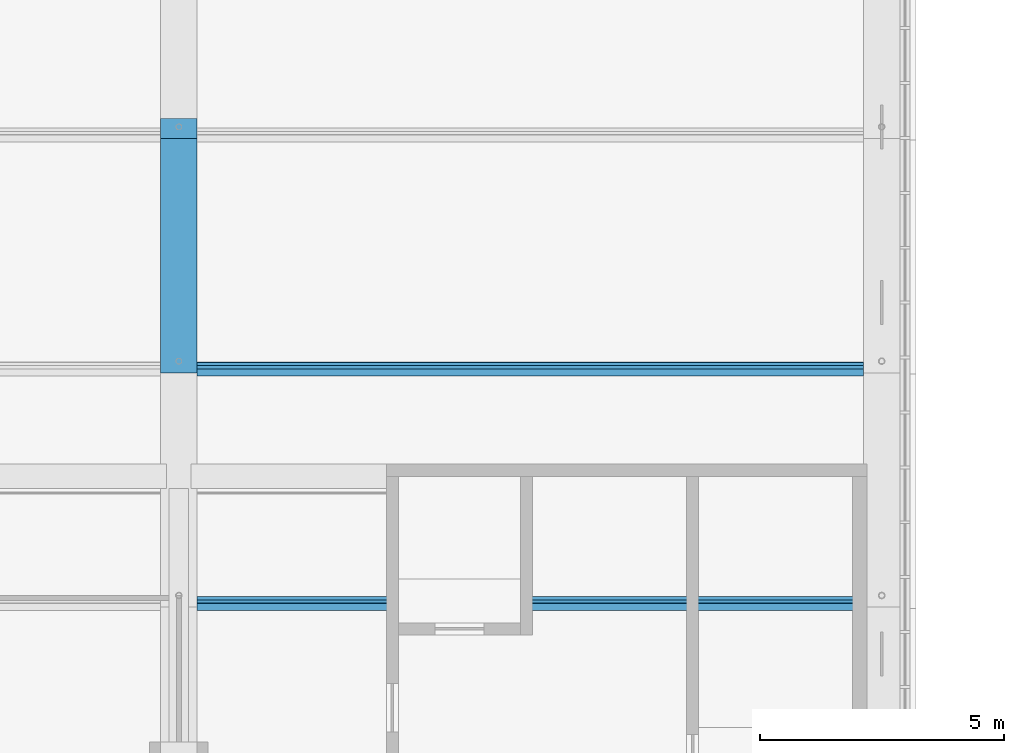
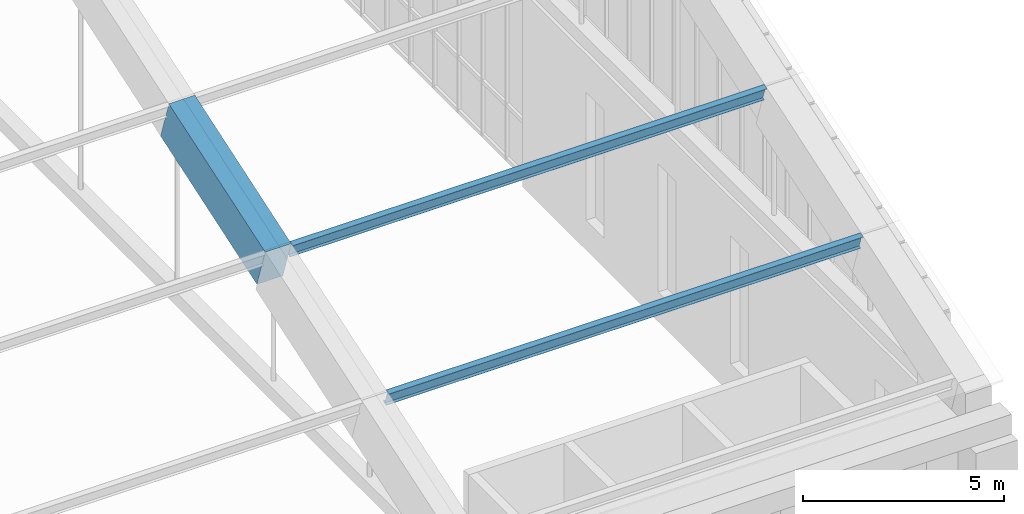
# One storey, part 26 of 149: 2 members, 1 beam.
"""IFC4 building model written with IfcOpenShell, lengths in metres."""

import ifcopenshell
import ifcopenshell.guid

model = None  # the IFC model being written
_history = None  # IfcOwnerHistory: only IFC2X3 demands one
_inside = {}  # id of a spatial element -> (the spatial element, [elements in it])
_under = {}  # id of a project, library or spatial element -> (it, [spatial elements below it])
_declared = {}  # id of a project -> (the project, [libraries it declares])
_typed = {}  # id of a type object -> (the type object, [elements of that type])
_made_of = {}  # id of a material, layer set ... -> (it, [elements and type objects made of it])


def new_model(schema):
    """Start an empty IFC model of exactly this schema.

    Asked for "IFC4X3", IfcOpenShell would pick the latest addendum, in which some entities
    have other attributes; the version numbers below select the first issue.
    IFC2X3 requires an IfcOwnerHistory on every rooted entity: one is made here for all.
    """
    global model, _history
    if schema == "IFC4X3":
        model = ifcopenshell.file(schema_version=(4, 3, 0, 0))
    else:
        model = ifcopenshell.file(schema=schema)
    _inside.clear()
    _under.clear()
    _declared.clear()
    _typed.clear()
    _made_of.clear()
    _history = None
    if model.schema == "IFC2X3":
        org = make("IfcOrganization", Name="unknown")
        user = make(
            "IfcPersonAndOrganization",
            ThePerson=make("IfcPerson", FamilyName="unknown"),
            TheOrganization=org,
        )
        app = make(
            "IfcApplication",
            ApplicationDeveloper=org,
            Version="unknown",
            ApplicationFullName="unknown",
            ApplicationIdentifier="unknown",
        )
        _history = make(
            "IfcOwnerHistory",
            OwningUser=user,
            OwningApplication=app,
            ChangeAction="ADDED",
            CreationDate=0,
        )
    return model


def make(cls, **values):
    """One entity of the class cls with the attributes given. An attribute that is None is left unset."""
    return model.create_entity(
        cls, **{name: value for name, value in values.items() if value is not None}
    )


def rooted(cls, **values):
    """An entity with a GlobalId (a new one), such as an element, a storey or a relation."""
    return make(cls, GlobalId=ifcopenshell.guid.new(), OwnerHistory=_history, **values)


def si_unit(unit_type, name, prefix=None):
    """IfcSIUnit, for example si_unit("LENGTHUNIT", "METRE", prefix="MILLI")."""
    return make("IfcSIUnit", UnitType=unit_type, Prefix=prefix, Name=name)


def assignment(units):
    """IfcUnitAssignment: the units of a project."""
    return None if units is None else make("IfcUnitAssignment", Units=units)


def point(xyz):
    """IfcCartesianPoint."""
    return None if xyz is None else make("IfcCartesianPoint", Coordinates=xyz)


def direction(xyz):
    """IfcDirection."""
    return None if xyz is None else make("IfcDirection", DirectionRatios=xyz)


def frame(location, z_axis=None, x_axis=None):
    """IfcAxis2Placement3D, a coordinate frame: its origin and axes. An axis left out is left unset."""
    return make(
        "IfcAxis2Placement3D",
        Location=point(location),
        Axis=direction(z_axis),
        RefDirection=direction(x_axis),
    )


def frame_2d(location, x_axis=None):
    """IfcAxis2Placement2D, a coordinate frame in the plane: its origin and x axis."""
    return make(
        "IfcAxis2Placement2D", Location=point(location), RefDirection=direction(x_axis)
    )


def origin():
    """The frame at (0, 0, 0) with its axes left unset."""
    return frame((0.0, 0.0, 0.0))


def origin_2d():
    """The frame at (0, 0) in the plane with its x axis left unset."""
    return frame_2d((0.0, 0.0))


def place(relative_to, where):
    """IfcLocalPlacement: puts the frame where relative to a parent placement (None: the world)."""
    return make(
        "IfcLocalPlacement", PlacementRelTo=relative_to, RelativePlacement=where
    )


def context(
    kind, dimensions, precision=None, world=None, true_north=None, identifier=None
):
    """IfcGeometricRepresentationContext, for example the 3D "Model" context."""
    return make(
        "IfcGeometricRepresentationContext",
        ContextIdentifier=identifier,
        ContextType=kind,
        CoordinateSpaceDimension=dimensions,
        Precision=precision,
        WorldCoordinateSystem=world,
        TrueNorth=true_north,
    )


def subcontext(parent, identifier, kind, view, scale=None):
    """IfcGeometricRepresentationSubContext, for example "Body" below "Model"."""
    return make(
        "IfcGeometricRepresentationSubContext",
        ContextIdentifier=identifier,
        ContextType=kind,
        ParentContext=parent,
        TargetScale=scale,
        TargetView=view,
    )


def project(units=None, contexts=None):
    """IfcProject with its units and contexts."""
    return rooted(
        "IfcProject",
        Name="project",
        RepresentationContexts=contexts,
        UnitsInContext=assignment(units),
    )


def spatial(cls, under=None, at=None, **own):
    """A site, building, storey or space (cls), placed at a placement, below another one or the project."""
    s = rooted(cls, ObjectPlacement=at, **own)
    if under is not None:
        _under.setdefault(under.id(), (under, []))[1].append(s)
    return s


def profile(cls, at=None, kind="AREA", **sizes):
    """A parametric profile (cls). Its sizes go by their IFC names, for example OverallWidth=200.0."""
    return make(cls, ProfileType=kind, Position=at, **sizes)


def rectangle(**sizes):
    """IfcRectangleProfileDef."""
    return profile("IfcRectangleProfileDef", **sizes)


def i_section(**sizes):
    """IfcIShapeProfileDef."""
    return profile("IfcIShapeProfileDef", **sizes)


def extrude(swept, where, along, depth):
    """IfcExtrudedAreaSolid: the profile swept, set in the frame where, extruded along a direction by depth."""
    return make(
        "IfcExtrudedAreaSolid",
        SweptArea=swept,
        Position=where,
        ExtrudedDirection=direction(along),
        Depth=depth,
    )


def shape(context_of_items, identifier, shape_type, items):
    """IfcShapeRepresentation: the items that make up one representation, for example the "Body"."""
    return make(
        "IfcShapeRepresentation",
        ContextOfItems=context_of_items,
        RepresentationIdentifier=identifier,
        RepresentationType=shape_type,
        Items=items,
    )


def material(Name=None, Category=None):
    """IfcMaterial."""
    return make("IfcMaterial", Name=Name, Category=Category)


def material_profile(
    of_material, cross_section, Name=None, Category=None, Priority=None
):
    """IfcMaterialProfile: a cross section and its material."""
    return make(
        "IfcMaterialProfile",
        Name=Name,
        Material=of_material,
        Profile=cross_section,
        Priority=Priority,
        Category=Category,
    )


def profile_set(profiles, Name=None, composite=None):
    """IfcMaterialProfileSet."""
    return make(
        "IfcMaterialProfileSet",
        Name=Name,
        MaterialProfiles=profiles,
        CompositeProfile=composite,
    )


def made_of(thing, what):
    """Note that an element or type object is made of a material, layer set ...; save() writes the relation."""
    if what is not None:
        _made_of.setdefault(what.id(), (what, []))[1].append(thing)
    return thing


def type_object(cls, material=None, **own):
    """A type object (cls), such as IfcWallType, which elements share."""
    return made_of(rooted(cls, **own), material)


def element(
    cls,
    number,
    at=None,
    inside=None,
    cuts=None,
    type_object=None,
    material=None,
    context=None,
    identifier="Body",
    shape_type=None,
    held_by="IfcProductDefinitionShape",
    body=None,
    shapes=None,
    **own,
):
    """One element of the class cls, such as IfcWall. Its Tag is "e" and its number.

    at: its placement. inside: the storey or other place that contains it. cuts: it is an
    opening in that element (IfcRelVoidsElement). A single representation is given by context,
    identifier, shape_type and body (its items); several are given by shapes. held_by: the class
    of the entity that holds the representations. save() writes the other relations.
    """
    e = rooted(cls, Tag="e%d" % number, ObjectPlacement=at, **own)
    if body is not None:
        shapes = [shape(context, identifier, shape_type, body)]
    if shapes is not None:
        e.Representation = make(held_by, Representations=shapes)
    if inside is not None:
        _inside.setdefault(inside.id(), (inside, []))[1].append(e)
    if cuts is not None:
        rooted(
            "IfcRelVoidsElement", RelatingBuildingElement=cuts, RelatedOpeningElement=e
        )
    if type_object is not None:
        _typed.setdefault(type_object.id(), (type_object, []))[1].append(e)
    return made_of(e, material)


def aggregate(whole, parts):
    """IfcRelAggregates: a whole, such as a stair, and the parts it consists of."""
    return rooted("IfcRelAggregates", RelatingObject=whole, RelatedObjects=parts)


def save(model, path):
    """Write the relations noted so far, then the file.

    IfcRelAggregates (storeys below a building ...), IfcRelContainedInSpatialStructure (elements
    in a storey), IfcRelDefinesByType, IfcRelAssociatesMaterial and IfcRelDeclares: one each for
    every whole, place, type object, material and project.
    """
    for whole, parts in _under.values():
        aggregate(whole, parts)
    for where, things in _inside.values():
        rooted(
            "IfcRelContainedInSpatialStructure",
            RelatedElements=things,
            RelatingStructure=where,
        )
    for kind, things in _typed.values():
        rooted("IfcRelDefinesByType", RelatedObjects=things, RelatingType=kind)
    for what, things in _made_of.values():
        rooted("IfcRelAssociatesMaterial", RelatedObjects=things, RelatingMaterial=what)
    for by, libraries in _declared.values():
        rooted("IfcRelDeclares", RelatingContext=by, RelatedDefinitions=libraries)
    model.write(path)


model = new_model("IFC4")

# Units and contexts
model_context = context("Model", 3, precision=1e-05, world=origin(), true_north=direction((0.0, 1.0)))
body_context = subcontext(model_context, "Body", "Model", "MODEL_VIEW")
ifc_project = project(units=[si_unit("LENGTHUNIT", "METRE"), si_unit("AREAUNIT", "SQUARE_METRE"), si_unit("VOLUMEUNIT", "CUBIC_METRE"), si_unit("PLANEANGLEUNIT", "RADIAN"), si_unit("MASSUNIT", "GRAM", prefix="KILO")], contexts=[model_context])

# Site, building, storey
site_placement = place(None, origin())
site = spatial("IfcSite", under=ifc_project, at=site_placement, CompositionType="ELEMENT")
building_placement = place(site_placement, origin())
building = spatial("IfcBuilding", under=site, at=building_placement, Name="Alderwick Market Hall", CompositionType="ELEMENT")
storey_placement = place(building_placement, frame((0.0, 0.0, 9.60009765625)))
storey = spatial("IfcBuildingStorey", under=building, at=storey_placement, Name="L01", CompositionType="ELEMENT", Elevation=9.60009765625)

# Beam
ifc_material_1 = material(Name="Concrete 5000 psi (f'c 35 MPa)", Category="concrete")
ifc_material_profile_1 = material_profile(ifc_material_1, rectangle(XDim=0.75, YDim=1.300048828125, at=origin_2d()), Name="RC 750x1300")
ifc_profile_set_1 = profile_set([ifc_material_profile_1], Name="Concrete 5000 psi (f'c 35 MPa)")
beam_type = type_object("IfcBeamType", Name="R Arch Rib Haunch 750x1300", PredefinedType="BEAM", material=ifc_profile_set_1)
beam_placement = place(storey_placement, frame((136.800048828125, 59.96826171875, 9.894775390625), z_axis=(0.0, 0.948678472761, 0.316242241517), x_axis=(-1.0, 0.0, 0.0)))
element("IfcBeam", 1, at=beam_placement, inside=storey, type_object=beam_type, Name="Arch rib 7 chord 3", PredefinedType="BEAM", context=body_context, shape_type="SweptSolid", body=[
    extrude(rectangle(XDim=0.75, YDim=1.300048828125, at=origin_2d()), origin(), (0.0, 0.0, 1.0), 5.059814453125),
])

# Members
ifc_material_2 = material(Name="Steel ASTM A992 Grade 50", Category="steel")
ifc_material_profile_2 = material_profile(ifc_material_2, i_section(OverallWidth=0.153076171875, OverallDepth=0.455078125, WebThickness=0.008056640625, FlangeThickness=0.01318359375, at=origin_2d()), Name="W18x40")
ifc_profile_set_2 = profile_set([ifc_material_profile_2], Name="Steel ASTM A992 Grade 50")
member_type = type_object("IfcMemberType", Name="R Purlin W18x40", PredefinedType="PURLIN", material=ifc_profile_set_2)
for number, where, z_axis, x_axis, name in (
    (2, (137.175048828125, 55.03662109375, 8.68994140625), (1.0, 0.0, 0.0), (0.0, 0.948683297073, 0.316227768949), "Roof purlin 2.7"),
    (3, (137.175048828125, 59.836669921875, 10.289794921875), (1.0, 0.0, 0.0), (0.0, 0.948683297073, 0.316227768949), "Roof purlin 3.7"),
):
    element("IfcMember", number, at=place(storey_placement, frame(where, z_axis=z_axis, x_axis=x_axis)), inside=storey, type_object=member_type, Name=name, PredefinedType="PURLIN", context=body_context, shape_type="SweptSolid", body=[
        extrude(i_section(OverallWidth=0.153076171875, OverallDepth=0.455078125, WebThickness=0.008056640625, FlangeThickness=0.01318359375, at=origin_2d()), origin(), (0.0, 0.0, 1.0), 13.64990234375),
    ])

save(model, "model.ifc")
